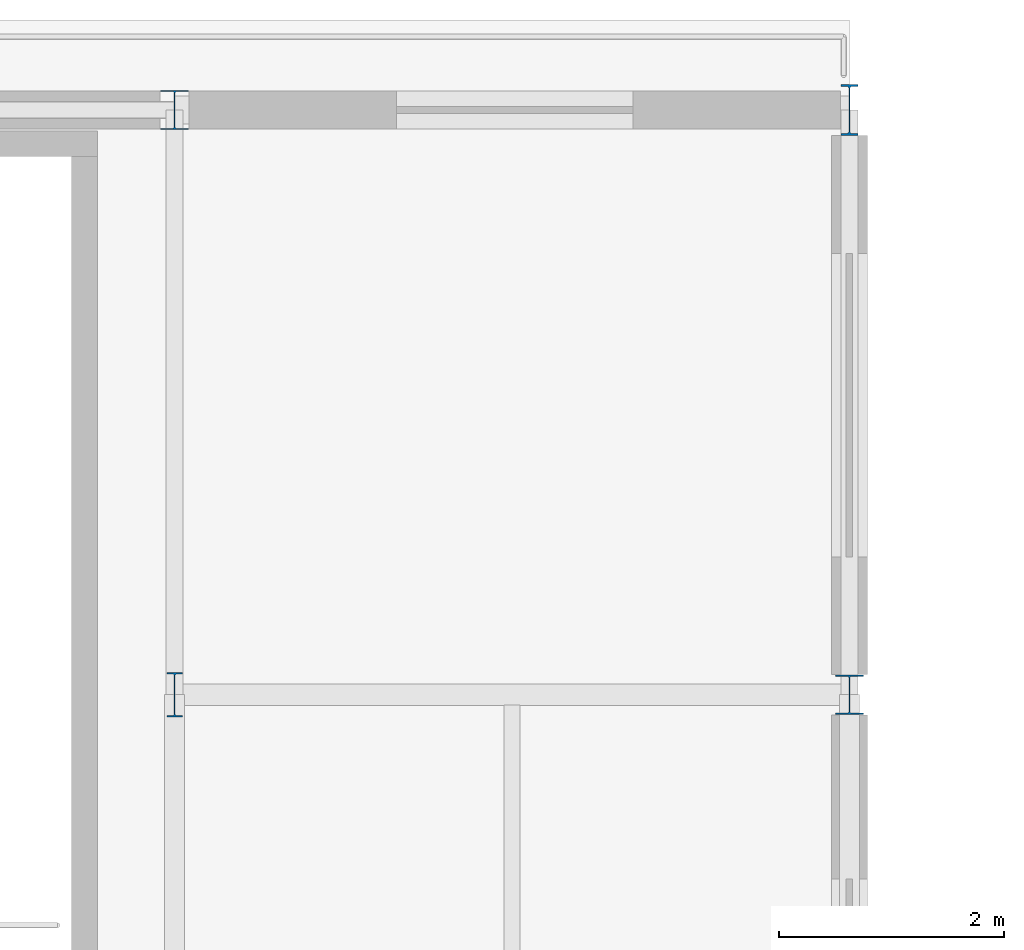
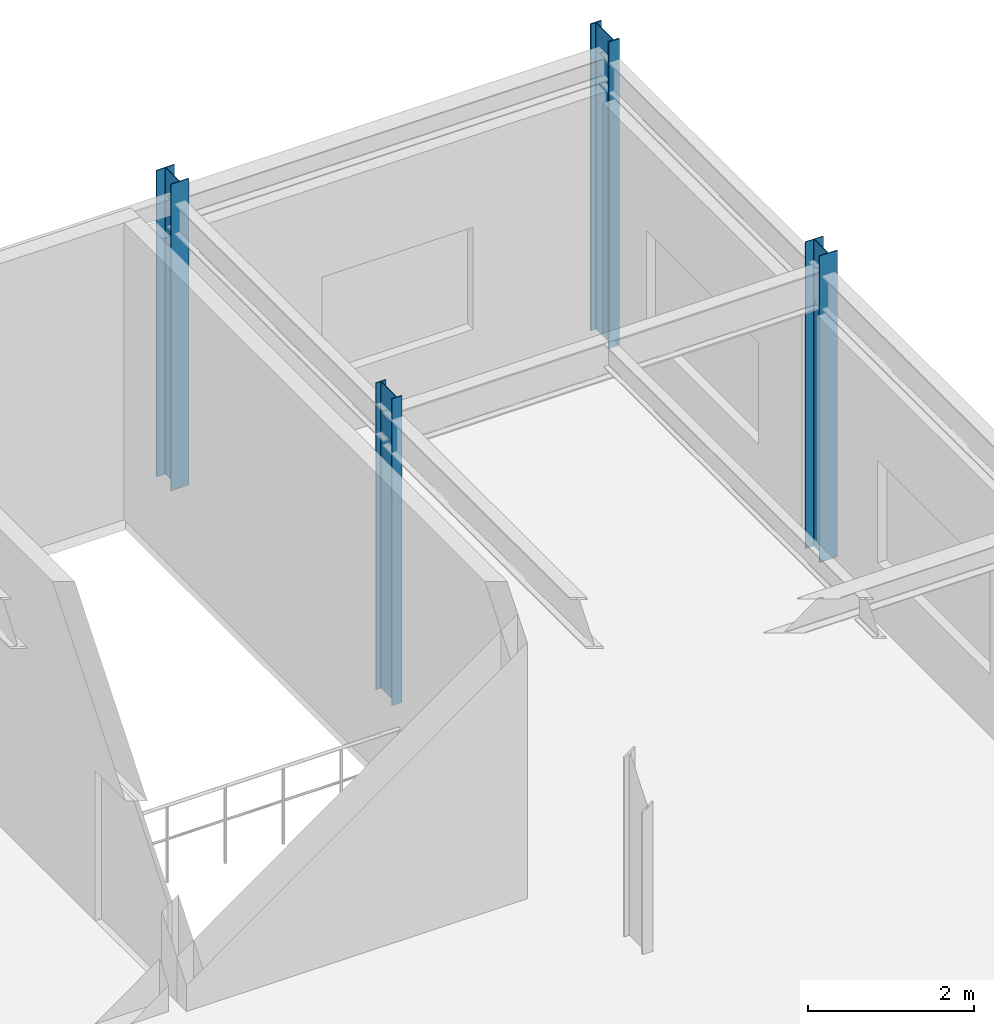
# One storey, part 21 of 84: 4 columns.
"""IFC4 building model written with IfcOpenShell, lengths in metres."""

from ifc_helpers import new_model, si_unit, direction, frame, origin, origin_2d, place, context, subcontext, project, spatial, i_section, extrude, material, material_profile, profile_set, type_object, element, save


model = new_model("IFC4")

# Units and contexts
model_context = context("Model", 3, precision=1e-05, world=origin(), true_north=direction((0.0, 1.0)))
body_context = subcontext(model_context, "Body", "Model", "MODEL_VIEW")
ifc_project = project(units=[si_unit("LENGTHUNIT", "METRE"), si_unit("AREAUNIT", "SQUARE_METRE"), si_unit("VOLUMEUNIT", "CUBIC_METRE"), si_unit("PLANEANGLEUNIT", "RADIAN"), si_unit("MASSUNIT", "GRAM", prefix="KILO")], contexts=[model_context])

# Site, building, storey
site_placement = place(None, origin())
site = spatial("IfcSite", under=ifc_project, at=site_placement, CompositionType="ELEMENT")
building_placement = place(site_placement, origin())
building = spatial("IfcBuilding", under=site, at=building_placement, Name="Varnakota Square Police Headquarters", CompositionType="ELEMENT")
storey_placement = place(building_placement, frame((0.0, 0.0, 13.5)))
storey = spatial("IfcBuildingStorey", under=building, at=storey_placement, Name="L03", CompositionType="ELEMENT", Elevation=13.5)

# Columns
ifc_material = material(Name="Steel IS 2062 Grade 350", Category="steel")
ifc_material_profile_1 = material_profile(ifc_material, i_section(OverallWidth=0.25, OverallDepth=0.35009765625, WebThickness=0.010009765625, FlangeThickness=0.01171875, FilletRadius=0.011962890625, at=origin_2d()), Name="ISHB 350")
ifc_profile_set_1 = profile_set([ifc_material_profile_1], Name="Steel IS 2062 Grade 350")
column_type_1 = type_object("IfcColumnType", Name="COL-ISHB350", PredefinedType="COLUMN", material=ifc_profile_set_1)
for number, where, z_axis, x_axis, name in (
    (1, (138.0, 110.199951171875, 0.0), (0.0, 0.0, 1.0), (1.0, 0.0, 0.0), "Column X1380-Y1102 L03"),
    (2, (144.0, 105.0, 0.0), (0.0, 0.0, 1.0), (1.0, 0.0, 0.0), "Column X1440-Y1050 L03"),
):
    element("IfcColumn", number, at=place(storey_placement, frame(where, z_axis=z_axis, x_axis=x_axis)), inside=storey, type_object=column_type_1, Name=name, PredefinedType="COLUMN", context=body_context, shape_type="SweptSolid", body=[
        extrude(i_section(OverallWidth=0.25, OverallDepth=0.35009765625, WebThickness=0.010009765625, FlangeThickness=0.01171875, FilletRadius=0.011962890625, at=origin_2d()), origin(), (0.0, 0.0, 1.0), 4.5),
    ])
ifc_material_profile_2 = material_profile(ifc_material, i_section(OverallWidth=0.139892578125, OverallDepth=0.39990234375, WebThickness=0.0087890625, FlangeThickness=0.01611328125, FilletRadius=0.013916015625, at=origin_2d()), Name="ISMB 400")
ifc_profile_set_2 = profile_set([ifc_material_profile_2], Name="Steel IS 2062 Grade 350")
column_type_2 = type_object("IfcColumnType", Name="COL-ISMB400", PredefinedType="COLUMN", material=ifc_profile_set_2)
column_1_placement = place(storey_placement, frame((138.0, 105.0, 0.0), z_axis=(0.0, 0.0, 1.0), x_axis=(1.0, 0.0, 0.0)))
element("IfcColumn", 3, at=column_1_placement, inside=storey, type_object=column_type_2, Name="Column X1380-Y1050 L03", PredefinedType="COLUMN", context=body_context, shape_type="SweptSolid", body=[
    extrude(i_section(OverallWidth=0.139892578125, OverallDepth=0.39990234375, WebThickness=0.0087890625, FlangeThickness=0.01611328125, FilletRadius=0.013916015625, at=origin_2d()), origin(), (0.0, 0.0, 1.0), 4.5),
])
ifc_material_profile_3 = material_profile(ifc_material, i_section(OverallWidth=0.14990234375, OverallDepth=0.449951171875, WebThickness=0.009521484375, FlangeThickness=0.017333984375, FilletRadius=0.014892578125, at=origin_2d()), Name="ISMB 450")
ifc_profile_set_3 = profile_set([ifc_material_profile_3], Name="Steel IS 2062 Grade 350")
column_type_3 = type_object("IfcColumnType", Name="COL-ISMB450", PredefinedType="COLUMN", material=ifc_profile_set_3)
column_2_placement = place(storey_placement, frame((144.0, 110.199951171875, 0.0), z_axis=(0.0, 0.0, 1.0), x_axis=(1.0, 0.0, 0.0)))
element("IfcColumn", 4, at=column_2_placement, inside=storey, type_object=column_type_3, Name="Column X1440-Y1102 L03", PredefinedType="COLUMN", context=body_context, shape_type="SweptSolid", body=[
    extrude(i_section(OverallWidth=0.14990234375, OverallDepth=0.449951171875, WebThickness=0.009521484375, FlangeThickness=0.017333984375, FilletRadius=0.014892578125, at=origin_2d()), origin(), (0.0, 0.0, 1.0), 4.5),
])

save(model, "model.ifc")
